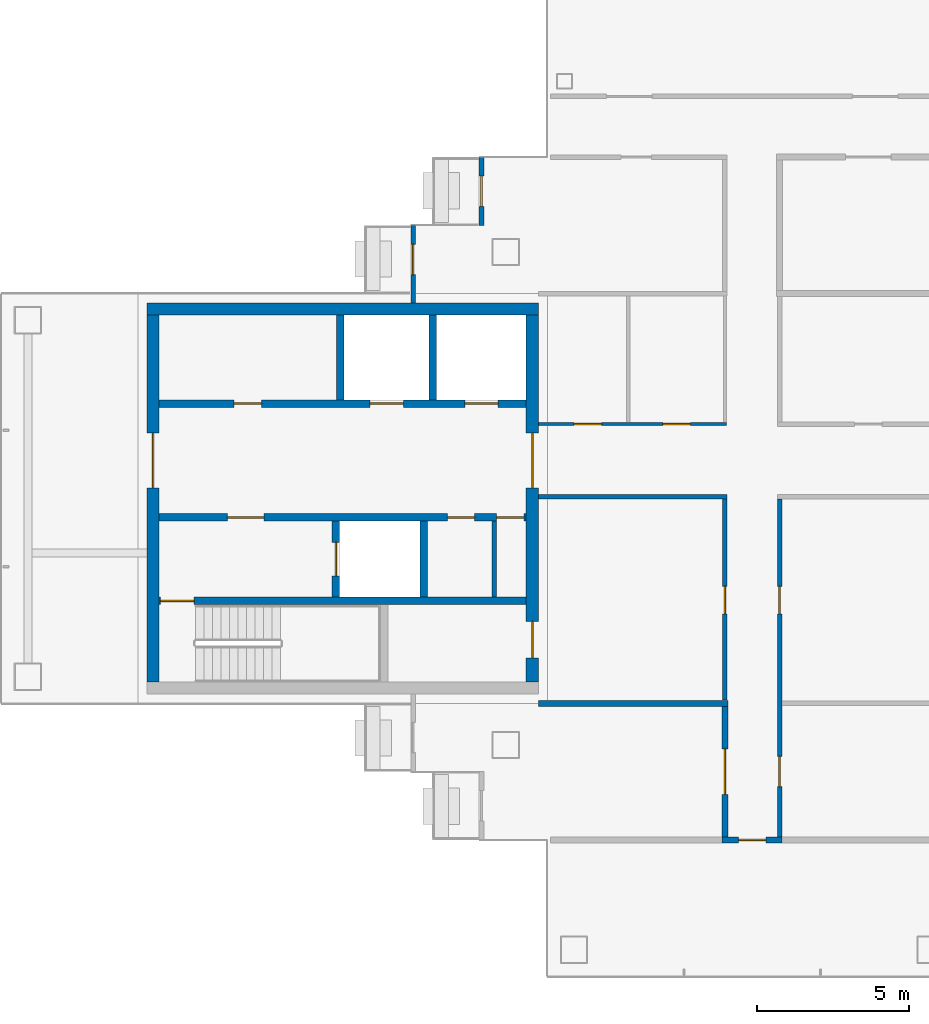
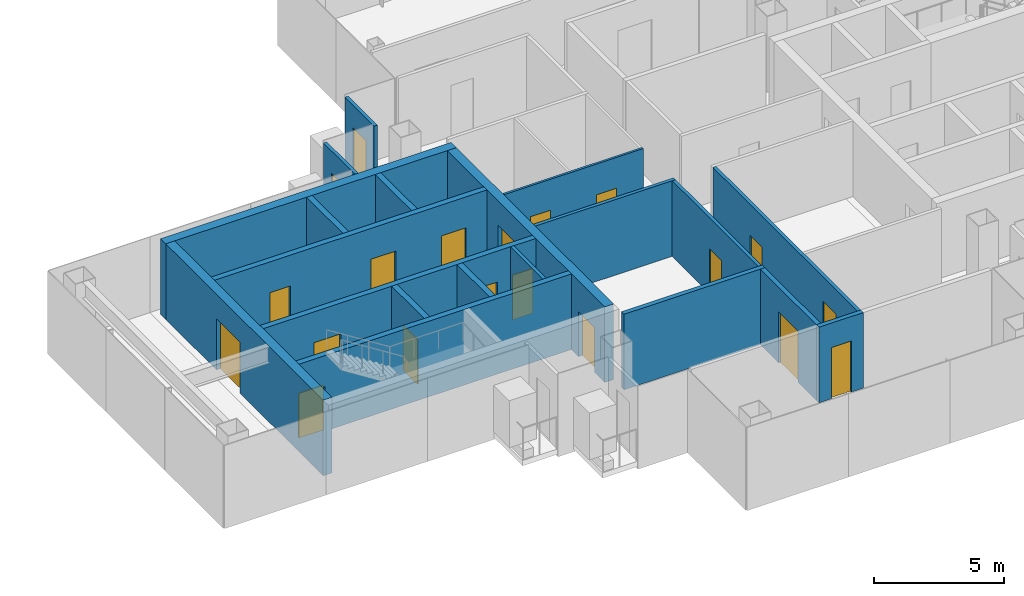
# One storey, part 11 of 17: 20 doors, 20 walls, 20 openings.
"""IFC4 building model written with IfcOpenShell, lengths in metres."""

from ifc_helpers import new_model, si_unit, direction, frame, frame_2d, origin, place, context, subcontext, project, spatial, rectangle, extrude, material, layer, layer_set, type_object, element, fill, save


model = new_model("IFC4")

# Units and contexts
model_context = context("Model", 3, precision=1e-05, world=origin(), true_north=direction((0.0, 1.0)))
body_context = subcontext(model_context, "Body", "Model", "MODEL_VIEW")
ifc_project = project(units=[si_unit("LENGTHUNIT", "METRE"), si_unit("AREAUNIT", "SQUARE_METRE"), si_unit("VOLUMEUNIT", "CUBIC_METRE"), si_unit("PLANEANGLEUNIT", "RADIAN"), si_unit("MASSUNIT", "GRAM", prefix="KILO")], contexts=[model_context])

# Site, building, storey
site_placement = place(None, origin())
site = spatial("IfcSite", under=ifc_project, at=site_placement, CompositionType="ELEMENT")
building_placement = place(site_placement, origin())
building = spatial("IfcBuilding", under=site, at=building_placement, Name="Shamsa Quay Exchange Towers", CompositionType="ELEMENT")
storey_placement = place(building_placement, frame((0.0, 0.0, 230.39990234375)))
storey = spatial("IfcBuildingStorey", under=building, at=storey_placement, Name="L55", CompositionType="ELEMENT", Elevation=230.39990234375)

# Wall, opening, door
ifc_material_1 = material(Name="Double-leaf gypsum board partition with acoustic insulation")
ifc_layer_1 = layer(ifc_material_1, 0.199951171875)
ifc_layer_set_1 = layer_set([ifc_layer_1], Name="Acoustic partition 200 mm EI 60")
wall_type_1 = type_object("IfcWallType", Name="Acoustic partition 200 mm EI 60", PredefinedType="PARTITIONING", material=ifc_layer_set_1)
wall_1_placement = place(storey_placement, frame((32.849609375, -11.14990234375, 0.0), z_axis=(0.0, 0.0, 1.0), x_axis=(0.0, 1.0, 0.0)))
wall_1 = element("IfcWall", 1, at=wall_1_placement, inside=storey, type_object=wall_type_1, Name="Partition T2-R25-W14", PredefinedType="PARTITIONING", context=body_context, shape_type="SweptSolid", body=[
    extrude(rectangle(XDim=4.2998046875, YDim=0.199951171875, at=frame_2d((2.14990234375, 0.0))), origin(), (0.0, 0.0, 1.0), 3.550048828125),
])
opening_1_placement = place(wall_1_placement, frame((1.39990234375, 0.0, 0.0)))
opening_1 = element("IfcOpeningElement", 2, at=opening_1_placement, cuts=wall_1, Name="Opening T2-R25-D06", PredefinedType="OPENING", context=body_context, shape_type="SweptSolid", body=[
    extrude(rectangle(XDim=1.5, YDim=2.39990234375, at=frame_2d((0.75, 1.199951171875))), frame((0.0, 0.10986328125, 0.0), z_axis=(0.0, -1.0, 0.0), x_axis=(1.0, 0.0, 0.0)), (0.0, 0.0, 1.0), 0.219970703125),
])
ifc_material_2 = material(Name="Timber door leaf in a metal frame", Category="wood")
door_type_1 = type_object("IfcDoorType", Name="Door 1500x2400 FD30S pair", OperationType="NOTDEFINED", PredefinedType="DOOR", material=ifc_material_2)
door_1_placement = place(opening_1_placement, origin())
door_1 = element("IfcDoor", 3, at=door_1_placement, inside=storey, type_object=door_type_1, Name="Door T2-R25-D06", OperationType="DOUBLE_DOOR_SINGLE_SWING", OverallHeight=2.39990234375, OverallWidth=1.5, PredefinedType="DOOR", context=body_context, shape_type="SweptSolid", body=[
    extrude(rectangle(XDim=1.5, YDim=2.39990234375, at=frame_2d((0.75, 1.199951171875))), frame((0.0, 0.02490234375, 0.0), z_axis=(0.0, -1.0, 0.0), x_axis=(1.0, 0.0, 0.0)), (0.0, 0.0, 1.0), 0.050048828125),
])
fill(opening_1, door_1)

wall_2_placement = place(storey_placement, frame((34.725341796875, -11.25, 0.0), z_axis=(0.0, 0.0, 1.0), x_axis=(-1.0, 0.0, 0.0)))
wall_2 = element("IfcWall", 4, at=wall_2_placement, inside=storey, type_object=wall_type_1, Name="Partition T2-R25-W15", PredefinedType="PARTITIONING", context=body_context, shape_type="SweptSolid", body=[
    extrude(rectangle(XDim=1.975830078125, YDim=0.199951171875, at=frame_2d((0.98779296875, 0.0))), origin(), (0.0, 0.0, 1.0), 3.550048828125),
])
opening_2_placement = place(wall_2_placement, frame((0.525390625, 0.0, 0.0)))
opening_2 = element("IfcOpeningElement", 5, at=opening_2_placement, cuts=wall_2, Name="Opening T2-R25-D05", PredefinedType="OPENING", context=body_context, shape_type="SweptSolid", body=[
    extrude(rectangle(XDim=0.89990234375, YDim=2.39990234375, at=frame_2d((0.449951171875, 1.199951171875))), frame((0.0, 0.10986328125, 0.0), z_axis=(0.0, -1.0, 0.0), x_axis=(1.0, 0.0, 0.0)), (0.0, 0.0, 1.0), 0.219970703125),
])
door_type_2 = type_object("IfcDoorType", Name="Door 900x2400 FD30S", OperationType="NOTDEFINED", PredefinedType="DOOR", material=ifc_material_2)
door_2_placement = place(opening_2_placement, origin())
door_2 = element("IfcDoor", 6, at=door_2_placement, inside=storey, type_object=door_type_2, Name="Door T2-R25-D05", OperationType="SINGLE_SWING_RIGHT", OverallHeight=2.39990234375, OverallWidth=0.89990234375, PredefinedType="DOOR", context=body_context, shape_type="SweptSolid", body=[
    extrude(rectangle(XDim=0.89990234375, YDim=2.39990234375, at=frame_2d((0.449951171875, 1.199951171875))), frame((0.0, 0.02490234375, 0.0), z_axis=(0.0, -1.0, 0.0), x_axis=(1.0, 0.0, 0.0)), (0.0, 0.0, 1.0), 0.050048828125),
])
fill(opening_2, door_2)

# Wall
wall_3_placement = place(storey_placement, frame((26.699951171875, -6.75, 0.0)))
element("IfcWall", 7, at=wall_3_placement, inside=storey, type_object=wall_type_1, Name="Partition T2-R25-W18", PredefinedType="PARTITIONING", context=body_context, shape_type="SweptSolid", body=[
    extrude(rectangle(XDim=6.249755859375, YDim=0.199951171875, at=frame_2d((3.125, 0.0))), origin(), (0.0, 0.0, 1.0), 3.550048828125),
])

# Wall, opening, door
ifc_material_3 = material(Name="Aluminium EN AW-6063 T6, black anodised, with black enamelled glass infill", Category="aluminium")
ifc_layer_2 = layer(ifc_material_3, 0.14990234375)
ifc_layer_set_2 = layer_set([ifc_layer_2], Name="BALCONY DOOR BAY WALL 150")
wall_type_2 = type_object("IfcWallType", Name="BALCONY DOOR BAY WALL 150", PredefinedType="SOLIDWALL", material=ifc_layer_set_2)
wall_4_placement = place(storey_placement, frame((24.824951171875, 9.0, 0.0), z_axis=(0.0, 0.0, 1.0), x_axis=(0.0, 1.0, 0.0)))
wall_4 = element("IfcWall", 8, at=wall_4_placement, inside=storey, type_object=wall_type_2, Name="Door bay T2-PKEN L55", PredefinedType="SOLIDWALL", context=body_context, shape_type="SweptSolid", body=[
    extrude(rectangle(XDim=2.25, YDim=0.14990234375, at=frame_2d((1.125, 0.0))), origin(), (0.0, 0.0, 1.0), 3.4501953125),
])
opening_3_placement = place(wall_4_placement, frame((0.625, 0.0, 0.0)))
opening_3 = element("IfcOpeningElement", 9, at=opening_3_placement, cuts=wall_4, Name="Opening XD361", PredefinedType="OPENING", context=body_context, shape_type="SweptSolid", body=[
    extrude(rectangle(XDim=1.0, YDim=2.39990234375, at=frame_2d((0.5, 1.199951171875))), frame((0.0, 0.0849609375, 0.0), z_axis=(0.0, -1.0, 0.0), x_axis=(1.0, 0.0, 0.0)), (0.0, 0.0, 1.0), 0.169921875),
])
ifc_material_4 = material(Name="Aluminium EN AW-6063 T6, black anodised, with laminated glass leaf", Category="aluminium")
door_type_3 = type_object("IfcDoorType", Name="BALCONY DOOR 1000x2400", OperationType="SINGLE_SWING_LEFT", PredefinedType="DOOR", material=ifc_material_4)
door_3_placement = place(opening_3_placement, origin())
door_3 = element("IfcDoor", 10, at=door_3_placement, inside=storey, type_object=door_type_3, Name="Balcony door T2-PKEN L55", OperationType="SINGLE_SWING_RIGHT", OverallHeight=2.39990234375, OverallWidth=1.0, PredefinedType="DOOR", context=body_context, shape_type="SweptSolid", body=[
    extrude(rectangle(XDim=1.0, YDim=2.39990234375, at=frame_2d((0.5, 1.199951171875))), frame((0.0, 0.02490234375, 0.0), z_axis=(0.0, -1.0, 0.0), x_axis=(1.0, 0.0, 0.0)), (0.0, 0.0, 1.0), 0.050048828125),
])
fill(opening_3, door_3)

wall_5_placement = place(storey_placement, frame((22.574951171875, 6.447998046875, 0.0), z_axis=(0.0, 0.0, 1.0), x_axis=(0.0, 1.0, 0.0)))
wall_5 = element("IfcWall", 11, at=wall_5_placement, inside=storey, type_object=wall_type_2, Name="Door bay T2-PKEN L55", PredefinedType="SOLIDWALL", context=body_context, shape_type="SweptSolid", body=[
    extrude(rectangle(XDim=2.552001953125, YDim=0.14990234375, at=frame_2d((1.27587890625, 0.0))), origin(), (0.0, 0.0, 1.0), 3.4501953125),
])
opening_4_placement = place(wall_5_placement, frame((0.927001953125, 0.0, 0.0)))
opening_4 = element("IfcOpeningElement", 12, at=opening_4_placement, cuts=wall_5, Name="Opening XD362", PredefinedType="OPENING", context=body_context, shape_type="SweptSolid", body=[
    extrude(rectangle(XDim=1.0, YDim=2.39990234375, at=frame_2d((0.5, 1.199951171875))), frame((0.0, 0.0849609375, 0.0), z_axis=(0.0, -1.0, 0.0), x_axis=(1.0, 0.0, 0.0)), (0.0, 0.0, 1.0), 0.169921875),
])
door_4_placement = place(opening_4_placement, origin())
door_4 = element("IfcDoor", 13, at=door_4_placement, inside=storey, type_object=door_type_3, Name="Balcony door T2-PKEN L55", OperationType="SINGLE_SWING_LEFT", OverallHeight=2.39990234375, OverallWidth=1.0, PredefinedType="DOOR", context=body_context, shape_type="SweptSolid", body=[
    extrude(rectangle(XDim=1.0, YDim=2.39990234375, at=frame_2d((0.5, 1.199951171875))), frame((0.0, 0.02490234375, 0.0), z_axis=(0.0, -1.0, 0.0), x_axis=(1.0, 0.0, 0.0)), (0.0, 0.0, 1.0), 0.050048828125),
])
fill(opening_4, door_4)

# Wall
ifc_material_5 = material(Name="Concrete C60/75", Category="concrete")
ifc_layer_3 = layer(ifc_material_5, 0.39990234375)
ifc_layer_set_3 = layer_set([ifc_layer_3], Name="CORE WALL 400 C60/75")
wall_type_3 = type_object("IfcWallType", Name="CORE WALL 400 C60/75", PredefinedType="SHEAR", material=ifc_layer_set_3)
wall_6_placement = place(storey_placement, frame((13.800048828125, 6.25, 0.0)))
element("IfcWall", 14, at=wall_6_placement, inside=storey, type_object=wall_type_3, Name="Core wall T2A-R25-PN", PredefinedType="SHEAR", context=body_context, shape_type="SweptSolid", body=[
    extrude(rectangle(XDim=12.89990234375, YDim=0.39990234375, at=frame_2d((6.449951171875, 0.0))), origin(), (0.0, 0.0, 1.0), 3.550048828125),
])

# Wall, opening, door
wall_7_placement = place(storey_placement, frame((14.0, 6.050048828125, 0.0), z_axis=(0.0, 0.0, 1.0), x_axis=(0.0, -1.0, 0.0)))
wall_7 = element("IfcWall", 15, at=wall_7_placement, inside=storey, type_object=wall_type_3, Name="Core wall T2A-R25-PF", PredefinedType="SHEAR", context=body_context, shape_type="SweptSolid", body=[
    extrude(rectangle(XDim=12.10009765625, YDim=0.39990234375, at=frame_2d((6.050048828125, 0.0))), origin(), (0.0, 0.0, 1.0), 3.550048828125),
])
opening_5_placement = place(wall_7_placement, frame((3.89990234375, 0.0, 0.0)))
opening_5 = element("IfcOpeningElement", 16, at=opening_5_placement, cuts=wall_7, Name="Opening T2A-R25-LBD01", PredefinedType="OPENING", context=body_context, shape_type="SweptSolid", body=[
    extrude(rectangle(XDim=1.800048828125, YDim=2.39990234375, at=frame_2d((0.89990234375, 1.199951171875))), frame((0.0, 0.2099609375, 0.0), z_axis=(0.0, -1.0, 0.0), x_axis=(1.0, 0.0, 0.0)), (0.0, 0.0, 1.0), 0.419921875),
])
ifc_material_6 = material(Name="Steel, fire rated", Category="steel")
door_type_4 = type_object("IfcDoorType", Name="LIFT LOBBY DOOR PAIR 1800", OperationType="DOUBLE_DOOR_SINGLE_SWING", PredefinedType="DOOR", material=ifc_material_6)
door_5_placement = place(opening_5_placement, origin())
door_5 = element("IfcDoor", 17, at=door_5_placement, inside=storey, type_object=door_type_4, Name="T2A-R25-LBD01", OperationType="DOUBLE_DOOR_SINGLE_SWING", OverallHeight=2.39990234375, OverallWidth=1.800048828125, PredefinedType="DOOR", context=body_context, shape_type="SweptSolid", body=[
    extrude(rectangle(XDim=1.800048828125, YDim=2.39990234375, at=frame_2d((0.89990234375, 1.199951171875))), frame((0.0, 0.02490234375, 0.0), z_axis=(0.0, -1.0, 0.0), x_axis=(1.0, 0.0, 0.0)), (0.0, 0.0, 1.0), 0.050048828125),
])
fill(opening_5, door_5)

# Wall, openings, doors
wall_8_placement = place(storey_placement, frame((26.5, 6.050048828125, 0.0), z_axis=(0.0, 0.0, 1.0), x_axis=(0.0, -1.0, 0.0)))
wall_8 = element("IfcWall", 18, at=wall_8_placement, inside=storey, type_object=wall_type_3, Name="Core wall T2A-R25-PB", PredefinedType="SHEAR", context=body_context, shape_type="SweptSolid", body=[
    extrude(rectangle(XDim=12.10009765625, YDim=0.39990234375, at=frame_2d((6.050048828125, 0.0))), origin(), (0.0, 0.0, 1.0), 3.550048828125),
])
opening_6_placement = place(wall_8_placement, frame((10.10009765625, 0.0, 0.0)))
opening_6 = element("IfcOpeningElement", 19, at=opening_6_placement, cuts=wall_8, Name="Opening T2A-R25-RD02", PredefinedType="OPENING", context=body_context, shape_type="SweptSolid", body=[
    extrude(rectangle(XDim=1.199951171875, YDim=2.10009765625, at=frame_2d((0.60009765625, 1.050048828125))), frame((0.0, 0.2099609375, 0.0), z_axis=(0.0, -1.0, 0.0), x_axis=(1.0, 0.0, 0.0)), (0.0, 0.0, 1.0), 0.419921875),
])
opening_7_placement = place(wall_8_placement, frame((3.89990234375, 0.0, 0.0)))
opening_7 = element("IfcOpeningElement", 20, at=opening_7_placement, cuts=wall_8, Name="Opening T2A-R25-LBD03", PredefinedType="OPENING", context=body_context, shape_type="SweptSolid", body=[
    extrude(rectangle(XDim=1.800048828125, YDim=2.39990234375, at=frame_2d((0.89990234375, 1.199951171875))), frame((0.0, 0.2099609375, 0.0), z_axis=(0.0, -1.0, 0.0), x_axis=(1.0, 0.0, 0.0)), (0.0, 0.0, 1.0), 0.419921875),
])
door_6_placement = place(opening_7_placement, origin())
door_6 = element("IfcDoor", 21, at=door_6_placement, inside=storey, type_object=door_type_4, Name="T2A-R25-LBD03", OperationType="DOUBLE_DOOR_SINGLE_SWING", OverallHeight=2.39990234375, OverallWidth=1.800048828125, PredefinedType="DOOR", context=body_context, shape_type="SweptSolid", body=[
    extrude(rectangle(XDim=1.800048828125, YDim=2.39990234375, at=frame_2d((0.89990234375, 1.199951171875))), frame((0.0, 0.02490234375, 0.0), z_axis=(0.0, -1.0, 0.0), x_axis=(1.0, 0.0, 0.0)), (0.0, 0.0, 1.0), 0.050048828125),
])
fill(opening_7, door_6)
door_type_5 = type_object("IfcDoorType", Name="RISER ACCESS DOOR 1200", OperationType="SINGLE_SWING_LEFT", PredefinedType="DOOR", material=ifc_material_6)
door_7_placement = place(opening_6_placement, origin())
door_7 = element("IfcDoor", 22, at=door_7_placement, inside=storey, type_object=door_type_5, Name="T2A-R25-RD02", OperationType="SINGLE_SWING_RIGHT", OverallHeight=2.10009765625, OverallWidth=1.199951171875, PredefinedType="DOOR", context=body_context, shape_type="SweptSolid", body=[
    extrude(rectangle(XDim=1.199951171875, YDim=2.10009765625, at=frame_2d((0.60009765625, 1.050048828125))), frame((0.0, 0.02490234375, 0.0), z_axis=(0.0, -1.0, 0.0), x_axis=(1.0, 0.0, 0.0)), (0.0, 0.0, 1.0), 0.050048828125),
])
fill(opening_6, door_7)

# Wall
ifc_material_7 = material(Name="Gypsum board on steel studs, EI 60", Category="steel")
ifc_layer_4 = layer(ifc_material_7, 0.14990234375)
ifc_layer_set_4 = layer_set([ifc_layer_4], Name="FIRE PARTITION 150")
wall_type_4 = type_object("IfcWallType", Name="FIRE PARTITION 150", PredefinedType="PARTITIONING", material=ifc_layer_set_4)
wall_9_placement = place(storey_placement, frame((25.25, -3.25, 0.0), z_axis=(0.0, 0.0, 1.0), x_axis=(0.0, 1.0, 0.0)))
element("IfcWall", 23, at=wall_9_placement, inside=storey, type_object=wall_type_4, Name="Partition T2A-R25-EC0", PredefinedType="PARTITIONING", context=body_context, shape_type="SweptSolid", body=[
    extrude(rectangle(XDim=2.5, YDim=0.14990234375, at=frame_2d((1.25, 0.0))), origin(), (0.0, 0.0, 1.0), 3.550048828125),
])

# Wall, openings, doors
ifc_material_8 = material(Name="Gypsum board partition on metal studs")
ifc_layer_5 = layer(ifc_material_8, 0.10009765625)
ifc_layer_set_5 = layer_set([ifc_layer_5], Name="Partition 100 mm NOT RATED")
wall_type_5 = type_object("IfcWallType", Name="Partition 100 mm NOT RATED", PredefinedType="PARTITIONING", material=ifc_layer_set_5)
wall_10_placement = place(storey_placement, frame((26.699951171875, 2.4501953125, 0.0)))
wall_10 = element("IfcWall", 24, at=wall_10_placement, inside=storey, type_object=wall_type_5, Name="Partition T2-R25-W02", PredefinedType="PARTITIONING", context=body_context, shape_type="SweptSolid", body=[
    extrude(rectangle(XDim=6.19970703125, YDim=0.10009765625, at=frame_2d((3.099853515625, 0.0))), origin(), (0.0, 0.0, 1.0), 3.550048828125),
])
opening_8_placement = place(wall_10_placement, frame((4.105712890625, 0.0, 0.0)))
opening_8 = element("IfcOpeningElement", 25, at=opening_8_placement, cuts=wall_10, Name="Opening T2-R25-D08", PredefinedType="OPENING", context=body_context, shape_type="SweptSolid", body=[
    extrude(rectangle(XDim=0.89990234375, YDim=2.10009765625, at=frame_2d((0.449951171875, 1.050048828125))), frame((0.0, 0.06005859375, 0.0), z_axis=(0.0, -1.0, 0.0), x_axis=(1.0, 0.0, 0.0)), (0.0, 0.0, 1.0), 0.1201171875),
])
opening_9_placement = place(wall_10_placement, frame((1.18115234375, 0.0, 0.0)))
opening_9 = element("IfcOpeningElement", 26, at=opening_9_placement, cuts=wall_10, Name="Opening T2-R25-D09", PredefinedType="OPENING", context=body_context, shape_type="SweptSolid", body=[
    extrude(rectangle(XDim=0.89990234375, YDim=2.10009765625, at=frame_2d((0.449951171875, 1.050048828125))), frame((0.0, 0.06005859375, 0.0), z_axis=(0.0, -1.0, 0.0), x_axis=(1.0, 0.0, 0.0)), (0.0, 0.0, 1.0), 0.1201171875),
])
door_type_6 = type_object("IfcDoorType", Name="Door 900x2100 NOT RATED", OperationType="NOTDEFINED", PredefinedType="DOOR", material=ifc_material_2)
door_8_placement = place(opening_8_placement, origin())
door_8 = element("IfcDoor", 27, at=door_8_placement, inside=storey, type_object=door_type_6, Name="Door T2-R25-D08", OperationType="SINGLE_SWING_RIGHT", OverallHeight=2.10009765625, OverallWidth=0.89990234375, PredefinedType="DOOR", context=body_context, shape_type="SweptSolid", body=[
    extrude(rectangle(XDim=0.89990234375, YDim=2.10009765625, at=frame_2d((0.449951171875, 1.050048828125))), frame((0.0, 0.02490234375, 0.0), z_axis=(0.0, -1.0, 0.0), x_axis=(1.0, 0.0, 0.0)), (0.0, 0.0, 1.0), 0.050048828125),
])
fill(opening_8, door_8)
door_9_placement = place(opening_9_placement, origin())
door_9 = element("IfcDoor", 28, at=door_9_placement, inside=storey, type_object=door_type_6, Name="Door T2-R25-D09", OperationType="SINGLE_SWING_RIGHT", OverallHeight=2.10009765625, OverallWidth=0.89990234375, PredefinedType="DOOR", context=body_context, shape_type="SweptSolid", body=[
    extrude(rectangle(XDim=0.89990234375, YDim=2.10009765625, at=frame_2d((0.449951171875, 1.050048828125))), frame((0.0, 0.02490234375, 0.0), z_axis=(0.0, -1.0, 0.0), x_axis=(1.0, 0.0, 0.0)), (0.0, 0.0, 1.0), 0.050048828125),
])
fill(opening_9, door_9)

# Wall
ifc_layer_6 = layer(ifc_material_8, 0.14990234375)
ifc_layer_set_6 = layer_set([ifc_layer_6], Name="Partition 150 mm EI 60")
wall_type_6 = type_object("IfcWallType", Name="Partition 150 mm EI 60", PredefinedType="PARTITIONING", material=ifc_layer_set_6)
wall_11_placement = place(storey_placement, frame((32.924560546875, 0.0498046875, 0.0), z_axis=(0.0, 0.0, 1.0), x_axis=(-1.0, 0.0, 0.0)))
element("IfcWall", 29, at=wall_11_placement, inside=storey, type_object=wall_type_6, Name="Partition T2-R25-W03", PredefinedType="PARTITIONING", context=body_context, shape_type="SweptSolid", body=[
    extrude(rectangle(XDim=6.224609375, YDim=0.14990234375, at=frame_2d((3.1123046875, 0.0))), origin(), (0.0, 0.0, 1.0), 3.550048828125),
])

# Wall, opening, door
wall_12_placement = place(storey_placement, frame((32.849609375, -6.64990234375, 0.0), z_axis=(0.0, 0.0, 1.0), x_axis=(0.0, 1.0, 0.0)))
wall_12 = element("IfcWall", 30, at=wall_12_placement, inside=storey, type_object=wall_type_6, Name="Partition T2-R25-W06", PredefinedType="PARTITIONING", context=body_context, shape_type="SweptSolid", body=[
    extrude(rectangle(XDim=6.624755859375, YDim=0.14990234375, at=frame_2d((3.3125, 0.0))), origin(), (0.0, 0.0, 1.0), 3.550048828125),
])
opening_10_placement = place(wall_12_placement, frame((2.849853515625, 0.0, 0.0)))
opening_10 = element("IfcOpeningElement", 31, at=opening_10_placement, cuts=wall_12, Name="Opening T2-R25-D07", PredefinedType="OPENING", context=body_context, shape_type="SweptSolid", body=[
    extrude(rectangle(XDim=0.89990234375, YDim=2.10009765625, at=frame_2d((0.449951171875, 1.050048828125))), frame((0.0, 0.0849609375, 0.0), z_axis=(0.0, -1.0, 0.0), x_axis=(1.0, 0.0, 0.0)), (0.0, 0.0, 1.0), 0.169921875),
])
door_type_7 = type_object("IfcDoorType", Name="Door 900x2100 FD30S", OperationType="NOTDEFINED", PredefinedType="DOOR", material=ifc_material_2)
door_10_placement = place(opening_10_placement, origin())
door_10 = element("IfcDoor", 32, at=door_10_placement, inside=storey, type_object=door_type_7, Name="Door T2-R25-D07", OperationType="SINGLE_SWING_RIGHT", OverallHeight=2.10009765625, OverallWidth=0.89990234375, PredefinedType="DOOR", context=body_context, shape_type="SweptSolid", body=[
    extrude(rectangle(XDim=0.89990234375, YDim=2.10009765625, at=frame_2d((0.449951171875, 1.050048828125))), frame((0.0, 0.02490234375, 0.0), z_axis=(0.0, -1.0, 0.0), x_axis=(1.0, 0.0, 0.0)), (0.0, 0.0, 1.0), 0.050048828125),
])
fill(opening_10, door_10)

# Wall, openings, doors
wall_13_placement = place(storey_placement, frame((34.650390625, -0.025146484375, 0.0), z_axis=(0.0, 0.0, 1.0), x_axis=(0.0, -1.0, 0.0)))
wall_13 = element("IfcWall", 33, at=wall_13_placement, inside=storey, type_object=wall_type_6, Name="Partition T2-R25-W08", PredefinedType="PARTITIONING", context=body_context, shape_type="SweptSolid", body=[
    extrude(rectangle(XDim=11.124755859375, YDim=0.14990234375, at=frame_2d((5.5625, 0.0))), origin(), (0.0, 0.0, 1.0), 3.550048828125),
])
opening_11_placement = place(wall_13_placement, frame((8.474853515625, 0.0, 0.0)))
opening_11 = element("IfcOpeningElement", 34, at=opening_11_placement, cuts=wall_13, Name="Opening T2-R25-D02", PredefinedType="OPENING", context=body_context, shape_type="SweptSolid", body=[
    extrude(rectangle(XDim=1.0, YDim=2.39990234375, at=frame_2d((0.5, 1.199951171875))), frame((0.0, 0.0849609375, 0.0), z_axis=(0.0, -1.0, 0.0), x_axis=(1.0, 0.0, 0.0)), (0.0, 0.0, 1.0), 0.169921875),
])
opening_12_placement = place(wall_13_placement, frame((2.875, 0.0, 0.0)))
opening_12 = element("IfcOpeningElement", 35, at=opening_12_placement, cuts=wall_13, Name="Opening T2-R25-D03", PredefinedType="OPENING", context=body_context, shape_type="SweptSolid", body=[
    extrude(rectangle(XDim=0.89990234375, YDim=2.10009765625, at=frame_2d((0.449951171875, 1.050048828125))), frame((0.0, 0.0849609375, 0.0), z_axis=(0.0, -1.0, 0.0), x_axis=(1.0, 0.0, 0.0)), (0.0, 0.0, 1.0), 0.169921875),
])
door_type_8 = type_object("IfcDoorType", Name="Door 1000x2400 FD30S", OperationType="NOTDEFINED", PredefinedType="DOOR", material=ifc_material_2)
door_11_placement = place(opening_11_placement, origin())
door_11 = element("IfcDoor", 36, at=door_11_placement, inside=storey, type_object=door_type_8, Name="Door T2-R25-D02", OperationType="SINGLE_SWING_LEFT", OverallHeight=2.39990234375, OverallWidth=1.0, PredefinedType="DOOR", context=body_context, shape_type="SweptSolid", body=[
    extrude(rectangle(XDim=1.0, YDim=2.39990234375, at=frame_2d((0.5, 1.199951171875))), frame((0.0, 0.02490234375, 0.0), z_axis=(0.0, -1.0, 0.0), x_axis=(1.0, 0.0, 0.0)), (0.0, 0.0, 1.0), 0.050048828125),
])
fill(opening_11, door_11)
door_12_placement = place(opening_12_placement, origin())
door_12 = element("IfcDoor", 37, at=door_12_placement, inside=storey, type_object=door_type_7, Name="Door T2-R25-D03", OperationType="SINGLE_SWING_RIGHT", OverallHeight=2.10009765625, OverallWidth=0.89990234375, PredefinedType="DOOR", context=body_context, shape_type="SweptSolid", body=[
    extrude(rectangle(XDim=0.89990234375, YDim=2.10009765625, at=frame_2d((0.449951171875, 1.050048828125))), frame((0.0, 0.02490234375, 0.0), z_axis=(0.0, -1.0, 0.0), x_axis=(1.0, 0.0, 0.0)), (0.0, 0.0, 1.0), 0.050048828125),
])
fill(opening_12, door_12)

# Wall, opening, door
ifc_material_9 = material(Name="Concrete C50/60", Category="concrete")
ifc_layer_7 = layer(ifc_material_9, 0.25)
ifc_layer_set_7 = layer_set([ifc_layer_7], Name="SHAFT WALL 250 C50/60")
wall_type_7 = type_object("IfcWallType", Name="SHAFT WALL 250 C50/60", PredefinedType="SHEAR", material=ifc_layer_set_7)
wall_14_placement = place(storey_placement, frame((26.300048828125, -3.375, 0.0), z_axis=(0.0, 0.0, 1.0), x_axis=(-1.0, 0.0, 0.0)))
wall_14 = element("IfcWall", 38, at=wall_14_placement, inside=storey, type_object=wall_type_7, Name="Shaft wall T2A-R25-STL", PredefinedType="SHEAR", context=body_context, shape_type="SweptSolid", body=[
    extrude(rectangle(XDim=12.10009765625, YDim=0.25, at=frame_2d((6.050048828125, 0.0))), origin(), (0.0, 0.0, 1.0), 3.550048828125),
])
opening_13_placement = place(wall_14_placement, frame((10.949951171875, 0.0, 0.0)))
opening_13 = element("IfcOpeningElement", 39, at=opening_13_placement, cuts=wall_14, Name="Opening T2A-R25-SD04", PredefinedType="OPENING", context=body_context, shape_type="SweptSolid", body=[
    extrude(rectangle(XDim=1.10009765625, YDim=2.10009765625, at=frame_2d((0.550048828125, 1.050048828125))), frame((0.0, 0.135009765625, 0.0), z_axis=(0.0, -1.0, 0.0), x_axis=(1.0, 0.0, 0.0)), (0.0, 0.0, 1.0), 0.27001953125),
])
door_type_9 = type_object("IfcDoorType", Name="STAIR DOOR 1100", OperationType="SINGLE_SWING_LEFT", PredefinedType="DOOR", material=ifc_material_6)
door_13_placement = place(opening_13_placement, origin())
door_13 = element("IfcDoor", 40, at=door_13_placement, inside=storey, type_object=door_type_9, Name="T2A-R25-SD04", OperationType="SINGLE_SWING_RIGHT", OverallHeight=2.10009765625, OverallWidth=1.10009765625, PredefinedType="DOOR", context=body_context, shape_type="SweptSolid", body=[
    extrude(rectangle(XDim=1.10009765625, YDim=2.10009765625, at=frame_2d((0.550048828125, 1.050048828125))), frame((0.0, 0.02490234375, 0.0), z_axis=(0.0, -1.0, 0.0), x_axis=(1.0, 0.0, 0.0)), (0.0, 0.0, 1.0), 0.050048828125),
])
fill(opening_13, door_13)

# Wall, openings, doors
wall_15_placement = place(storey_placement, frame((26.300048828125, -0.625, 0.0), z_axis=(0.0, 0.0, 1.0), x_axis=(-1.0, 0.0, 0.0)))
wall_15 = element("IfcWall", 41, at=wall_15_placement, inside=storey, type_object=wall_type_7, Name="Shaft wall T2A-R25-B", PredefinedType="SHEAR", context=body_context, shape_type="SweptSolid", body=[
    extrude(rectangle(XDim=12.10009765625, YDim=0.25, at=frame_2d((6.050048828125, 0.0))), origin(), (0.0, 0.0, 1.0), 3.550048828125),
])
opening_14_placement = place(wall_15_placement, frame((8.64990234375, 0.0, 0.0)))
opening_14 = element("IfcOpeningElement", 42, at=opening_14_placement, cuts=wall_15, Name="Opening T2A-R25-FD05", PredefinedType="OPENING", context=body_context, shape_type="SweptSolid", body=[
    extrude(rectangle(XDim=1.199951171875, YDim=2.10009765625, at=frame_2d((0.60009765625, 1.050048828125))), frame((0.0, 0.135009765625, 0.0), z_axis=(0.0, -1.0, 0.0), x_axis=(1.0, 0.0, 0.0)), (0.0, 0.0, 1.0), 0.27001953125),
])
opening_15_placement = place(wall_15_placement, frame((1.699951171875, 0.0, 0.0)))
opening_15 = element("IfcOpeningElement", 43, at=opening_15_placement, cuts=wall_15, Name="Opening T2A-R25-SV06", PredefinedType="OPENING", context=body_context, shape_type="SweptSolid", body=[
    extrude(rectangle(XDim=0.89990234375, YDim=2.10009765625, at=frame_2d((0.449951171875, 1.050048828125))), frame((0.0, 0.135009765625, 0.0), z_axis=(0.0, -1.0, 0.0), x_axis=(1.0, 0.0, 0.0)), (0.0, 0.0, 1.0), 0.27001953125),
])
opening_16_placement = place(wall_15_placement, frame((0.074951171875, 0.0, 0.0)))
opening_16 = element("IfcOpeningElement", 44, at=opening_16_placement, cuts=wall_15, Name="Opening T2A-R25-SV07", PredefinedType="OPENING", context=body_context, shape_type="SweptSolid", body=[
    extrude(rectangle(XDim=0.89990234375, YDim=2.10009765625, at=frame_2d((0.449951171875, 1.050048828125))), frame((0.0, 0.135009765625, 0.0), z_axis=(0.0, -1.0, 0.0), x_axis=(1.0, 0.0, 0.0)), (0.0, 0.0, 1.0), 0.27001953125),
])
door_type_10 = type_object("IfcDoorType", Name="FIRE SERVICE LOBBY DOOR 1200", OperationType="SINGLE_SWING_LEFT", PredefinedType="DOOR", material=ifc_material_6)
door_14_placement = place(opening_14_placement, origin())
door_14 = element("IfcDoor", 45, at=door_14_placement, inside=storey, type_object=door_type_10, Name="T2A-R25-FD05", OperationType="SINGLE_SWING_RIGHT", OverallHeight=2.10009765625, OverallWidth=1.199951171875, PredefinedType="DOOR", context=body_context, shape_type="SweptSolid", body=[
    extrude(rectangle(XDim=1.199951171875, YDim=2.10009765625, at=frame_2d((0.60009765625, 1.050048828125))), frame((0.0, 0.02490234375, 0.0), z_axis=(0.0, -1.0, 0.0), x_axis=(1.0, 0.0, 0.0)), (0.0, 0.0, 1.0), 0.050048828125),
])
fill(opening_14, door_14)
door_type_11 = type_object("IfcDoorType", Name="SERVICE ROOM DOOR 900", OperationType="SINGLE_SWING_LEFT", PredefinedType="DOOR", material=ifc_material_6)
door_15_placement = place(opening_15_placement, origin())
door_15 = element("IfcDoor", 46, at=door_15_placement, inside=storey, type_object=door_type_11, Name="T2A-R25-SV06", OperationType="SINGLE_SWING_LEFT", OverallHeight=2.10009765625, OverallWidth=0.89990234375, PredefinedType="DOOR", context=body_context, shape_type="SweptSolid", body=[
    extrude(rectangle(XDim=0.89990234375, YDim=2.10009765625, at=frame_2d((0.449951171875, 1.050048828125))), frame((0.0, 0.02490234375, 0.0), z_axis=(0.0, -1.0, 0.0), x_axis=(1.0, 0.0, 0.0)), (0.0, 0.0, 1.0), 0.050048828125),
])
fill(opening_15, door_15)
door_16_placement = place(opening_16_placement, origin())
door_16 = element("IfcDoor", 47, at=door_16_placement, inside=storey, type_object=door_type_11, Name="T2A-R25-SV07", OperationType="SINGLE_SWING_LEFT", OverallHeight=2.10009765625, OverallWidth=0.89990234375, PredefinedType="DOOR", context=body_context, shape_type="SweptSolid", body=[
    extrude(rectangle(XDim=0.89990234375, YDim=2.10009765625, at=frame_2d((0.449951171875, 1.050048828125))), frame((0.0, 0.02490234375, 0.0), z_axis=(0.0, -1.0, 0.0), x_axis=(1.0, 0.0, 0.0)), (0.0, 0.0, 1.0), 0.050048828125),
])
fill(opening_16, door_16)

# Wall, opening, door
wall_16_placement = place(storey_placement, frame((20.02490234375, -3.25, 0.0), z_axis=(0.0, 0.0, 1.0), x_axis=(0.0, 1.0, 0.0)))
wall_16 = element("IfcWall", 48, at=wall_16_placement, inside=storey, type_object=wall_type_7, Name="Shaft wall T2A-R25-FFF", PredefinedType="SHEAR", context=body_context, shape_type="SweptSolid", body=[
    extrude(rectangle(XDim=2.5, YDim=0.25, at=frame_2d((1.25, 0.0))), origin(), (0.0, 0.0, 1.0), 3.550048828125),
])
opening_17_placement = place(wall_16_placement, frame((0.699951171875, 0.0, 0.0)))
opening_17 = element("IfcOpeningElement", 49, at=opening_17_placement, cuts=wall_16, Name="Opening T2A-R25-LDF08", PredefinedType="OPENING", context=body_context, shape_type="SweptSolid", body=[
    extrude(rectangle(XDim=1.10009765625, YDim=2.10009765625, at=frame_2d((0.550048828125, 1.050048828125))), frame((0.0, 0.135009765625, 0.0), z_axis=(0.0, -1.0, 0.0), x_axis=(1.0, 0.0, 0.0)), (0.0, 0.0, 1.0), 0.27001953125),
])
door_type_12 = type_object("IfcDoorType", Name="FIRE SERVICE LANDING DOOR 1100", OperationType="SLIDING_TO_LEFT", PredefinedType="DOOR", material=ifc_material_6)
door_17_placement = place(opening_17_placement, origin())
door_17 = element("IfcDoor", 50, at=door_17_placement, inside=storey, type_object=door_type_12, Name="T2A-R25-LDF08", OperationType="SLIDING_TO_LEFT", OverallHeight=2.10009765625, OverallWidth=1.10009765625, PredefinedType="DOOR", context=body_context, shape_type="SweptSolid", body=[
    extrude(rectangle(XDim=1.10009765625, YDim=2.10009765625, at=frame_2d((0.550048828125, 1.050048828125))), frame((0.0, 0.02490234375, 0.0), z_axis=(0.0, -1.0, 0.0), x_axis=(1.0, 0.0, 0.0)), (0.0, 0.0, 1.0), 0.050048828125),
])
fill(opening_17, door_17)

# Wall
wall_17_placement = place(storey_placement, frame((22.925048828125, -3.25, 0.0), z_axis=(0.0, 0.0, 1.0), x_axis=(0.0, 1.0, 0.0)))
element("IfcWall", 51, at=wall_17_placement, inside=storey, type_object=wall_type_7, Name="Shaft wall T2A-R25-FFB", PredefinedType="SHEAR", context=body_context, shape_type="SweptSolid", body=[
    extrude(rectangle(XDim=2.5, YDim=0.25, at=frame_2d((1.25, 0.0))), origin(), (0.0, 0.0, 1.0), 3.550048828125),
])

# Wall, openings, doors
wall_18_placement = place(storey_placement, frame((14.199951171875, 3.125, 0.0)))
wall_18 = element("IfcWall", 52, at=wall_18_placement, inside=storey, type_object=wall_type_7, Name="Shaft wall T2A-R25-N", PredefinedType="SHEAR", context=body_context, shape_type="SweptSolid", body=[
    extrude(rectangle(XDim=12.10009765625, YDim=0.25, at=frame_2d((6.050048828125, 0.0))), origin(), (0.0, 0.0, 1.0), 3.550048828125),
])
opening_18_placement = place(wall_18_placement, frame((6.949951171875, 0.0, 0.0)))
opening_18 = element("IfcOpeningElement", 53, at=opening_18_placement, cuts=wall_18, Name="Opening T2A-R25-LD09", PredefinedType="OPENING", context=body_context, shape_type="SweptSolid", body=[
    extrude(rectangle(XDim=1.10009765625, YDim=2.10009765625, at=frame_2d((0.550048828125, 1.050048828125))), frame((0.0, 0.135009765625, 0.0), z_axis=(0.0, -1.0, 0.0), x_axis=(1.0, 0.0, 0.0)), (0.0, 0.0, 1.0), 0.27001953125),
])
opening_19_placement = place(wall_18_placement, frame((10.074951171875, 0.0, 0.0)))
opening_19 = element("IfcOpeningElement", 54, at=opening_19_placement, cuts=wall_18, Name="Opening T2A-R25-LD10", PredefinedType="OPENING", context=body_context, shape_type="SweptSolid", body=[
    extrude(rectangle(XDim=1.10009765625, YDim=2.10009765625, at=frame_2d((0.550048828125, 1.050048828125))), frame((0.0, 0.135009765625, 0.0), z_axis=(0.0, -1.0, 0.0), x_axis=(1.0, 0.0, 0.0)), (0.0, 0.0, 1.0), 0.27001953125),
])
opening_20_placement = place(wall_18_placement, frame((2.47509765625, 0.0, 0.0)))
opening_20 = element("IfcOpeningElement", 55, at=opening_20_placement, cuts=wall_18, Name="Opening T2A-R25-SV11", PredefinedType="OPENING", context=body_context, shape_type="SweptSolid", body=[
    extrude(rectangle(XDim=0.89990234375, YDim=2.10009765625, at=frame_2d((0.449951171875, 1.050048828125))), frame((0.0, 0.135009765625, 0.0), z_axis=(0.0, -1.0, 0.0), x_axis=(1.0, 0.0, 0.0)), (0.0, 0.0, 1.0), 0.27001953125),
])
door_type_13 = type_object("IfcDoorType", Name="LANDING DOOR 1100", OperationType="SLIDING_TO_LEFT", PredefinedType="DOOR", material=ifc_material_6)
door_18_placement = place(opening_18_placement, origin())
door_18 = element("IfcDoor", 56, at=door_18_placement, inside=storey, type_object=door_type_13, Name="T2A-R25-LD09", OperationType="SLIDING_TO_LEFT", OverallHeight=2.10009765625, OverallWidth=1.10009765625, PredefinedType="DOOR", context=body_context, shape_type="SweptSolid", body=[
    extrude(rectangle(XDim=1.10009765625, YDim=2.10009765625, at=frame_2d((0.550048828125, 1.050048828125))), frame((0.0, 0.02490234375, 0.0), z_axis=(0.0, -1.0, 0.0), x_axis=(1.0, 0.0, 0.0)), (0.0, 0.0, 1.0), 0.050048828125),
])
fill(opening_18, door_18)
door_19_placement = place(opening_19_placement, origin())
door_19 = element("IfcDoor", 57, at=door_19_placement, inside=storey, type_object=door_type_13, Name="T2A-R25-LD10", OperationType="SLIDING_TO_LEFT", OverallHeight=2.10009765625, OverallWidth=1.10009765625, PredefinedType="DOOR", context=body_context, shape_type="SweptSolid", body=[
    extrude(rectangle(XDim=1.10009765625, YDim=2.10009765625, at=frame_2d((0.550048828125, 1.050048828125))), frame((0.0, 0.02490234375, 0.0), z_axis=(0.0, -1.0, 0.0), x_axis=(1.0, 0.0, 0.0)), (0.0, 0.0, 1.0), 0.050048828125),
])
fill(opening_19, door_19)
door_20_placement = place(opening_20_placement, origin())
door_20 = element("IfcDoor", 58, at=door_20_placement, inside=storey, type_object=door_type_11, Name="T2A-R25-SV11", OperationType="SINGLE_SWING_LEFT", OverallHeight=2.10009765625, OverallWidth=0.89990234375, PredefinedType="DOOR", context=body_context, shape_type="SweptSolid", body=[
    extrude(rectangle(XDim=0.89990234375, YDim=2.10009765625, at=frame_2d((0.449951171875, 1.050048828125))), frame((0.0, 0.02490234375, 0.0), z_axis=(0.0, -1.0, 0.0), x_axis=(1.0, 0.0, 0.0)), (0.0, 0.0, 1.0), 0.050048828125),
])
fill(opening_20, door_20)

# Walls
for number, where, z_axis, x_axis, name in (
    (59, (20.175048828125, 3.25, 0.0), (0.0, 0.0, 1.0), (0.0, 1.0, 0.0), "Shaft wall T2A-R25-D1"),
    (60, (23.22509765625, 3.25, 0.0), (0.0, 0.0, 1.0), (0.0, 1.0, 0.0), "Shaft wall T2A-R25-D2"),
):
    element("IfcWall", number, at=place(storey_placement, frame(where, z_axis=z_axis, x_axis=x_axis)), inside=storey, type_object=wall_type_7, Name=name, PredefinedType="SHEAR", context=body_context, shape_type="SweptSolid", body=[
        extrude(rectangle(XDim=2.800048828125, YDim=0.25, at=frame_2d((1.39990234375, 0.0))), origin(), (0.0, 0.0, 1.0), 3.550048828125),
    ])

save(model, "model.ifc")
